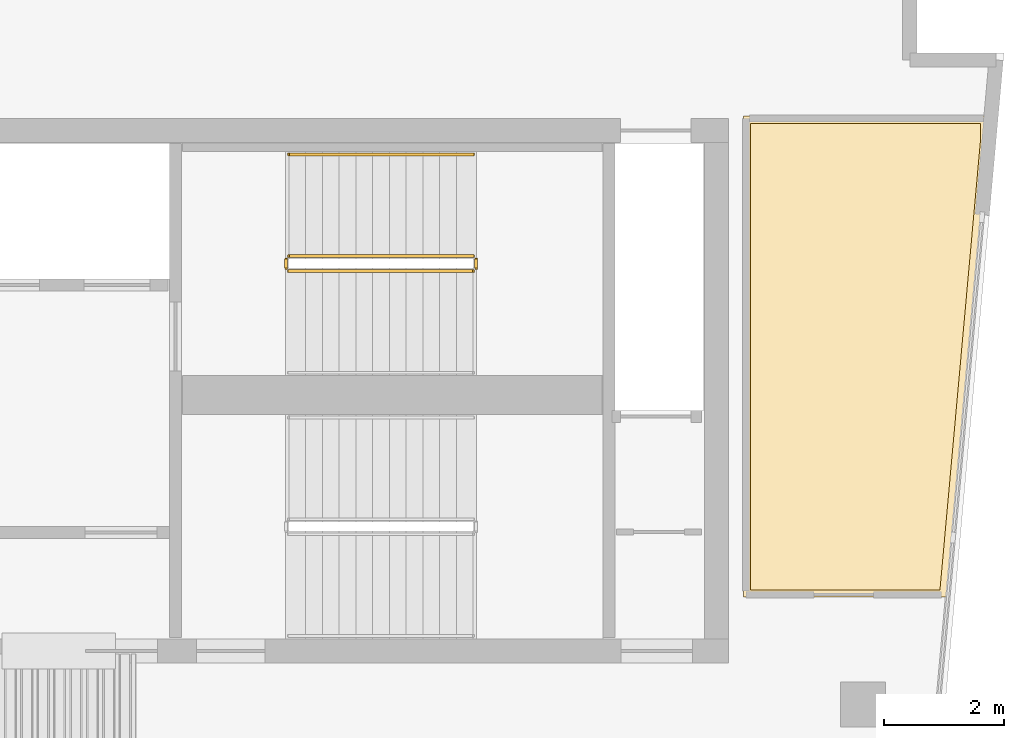
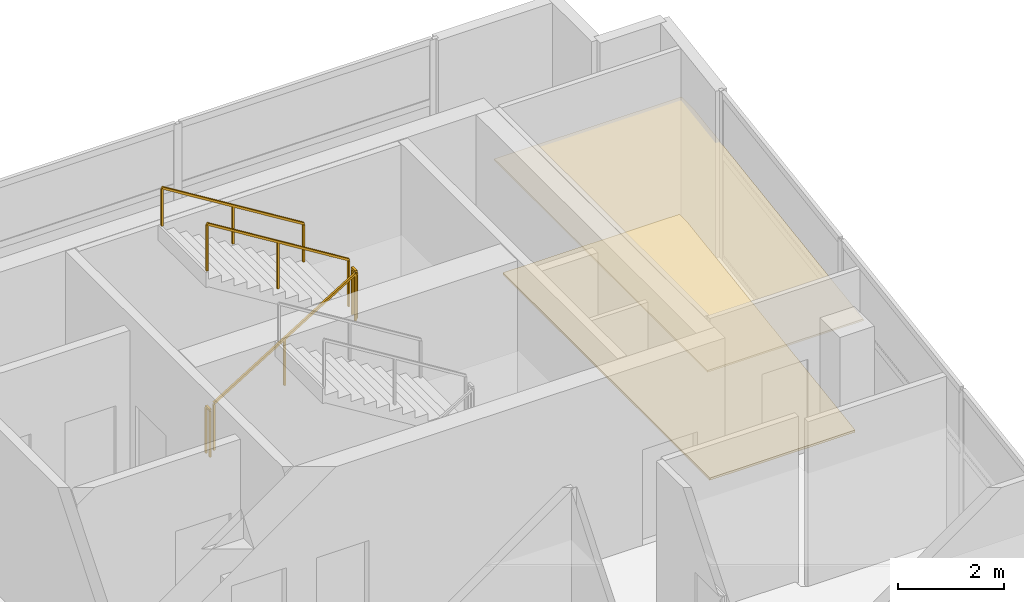
# One storey, part 7 of 7: 5 railings, 2 coverings.
"""IFC4 building model written with IfcOpenShell, lengths in metres."""

from ifc_helpers import new_model, si_unit, direction, frame, origin, origin_2d, place, context, subcontext, project, spatial, polyline, rectangle, outline, extrude, material, layer, layer_set, type_object, element, save


model = new_model("IFC4")

# Units and contexts
model_context = context("Model", 3, precision=1e-05, world=origin(), true_north=direction((0.0, 1.0)))
body_context = subcontext(model_context, "Body", "Model", "MODEL_VIEW")
ifc_project = project(units=[si_unit("LENGTHUNIT", "METRE"), si_unit("AREAUNIT", "SQUARE_METRE"), si_unit("VOLUMEUNIT", "CUBIC_METRE"), si_unit("PLANEANGLEUNIT", "RADIAN"), si_unit("MASSUNIT", "GRAM", prefix="KILO")], contexts=[model_context])

# Site, building, storey
site_placement = place(None, origin())
site = spatial("IfcSite", under=ifc_project, at=site_placement, CompositionType="ELEMENT")
building_placement = place(site_placement, origin())
building = spatial("IfcBuilding", under=site, at=building_placement, Name="Caeloran Harvest Quay", CompositionType="ELEMENT")
storey_placement = place(building_placement, frame((0.0, 0.0, 319.89990234375)))
storey = spatial("IfcBuildingStorey", under=building, at=storey_placement, Name="L77", CompositionType="ELEMENT", Elevation=319.89990234375)

# Coverings
ifc_material_1 = material(Name="Perforated Mineral-Fibre Acoustic Ceiling Tile", Category="ceiling")
ifc_layer_1 = layer(ifc_material_1, 0.0400390625, Name="Perforated Mineral-Fibre Acoustic Ceiling Tile")
ifc_layer_set_1 = layer_set([ifc_layer_1], Name="Perforated Mineral-Fibre Acoustic Ceiling Tile")
covering_type_1 = type_object("IfcCoveringType", Name="COV-CEILING-ACOUSTIC", PredefinedType="CEILING", material=ifc_layer_set_1)
covering_1_placement = place(storey_placement, frame((0.0, 0.0, 2.60009765625)))
element("IfcCovering", 1, at=covering_1_placement, inside=storey, type_object=covering_type_1, Name="L77 Bioinformatics and Crop Phenotyping Laboratory Acoustic Ceiling", PredefinedType="CEILING", context=body_context, shape_type="SweptSolid", body=[
    extrude(outline(polyline([(27.57861328125, 40.3876953125), (26.89453125, 32.800048828125), (23.5, 32.800048828125), (23.5, 40.840087890625), (27.57861328125, 40.840087890625), (27.57861328125, 40.3876953125)])), origin(), (0.0, 0.0, 1.0), 0.0400390625),
])
ifc_material_2 = material(Name="Calcium-Sulphate Raised Access Floor and Terrazzo Finish", Category="flooring")
ifc_layer_2 = layer(ifc_material_2, 0.050048828125, Name="Calcium-Sulphate Raised Access Floor and Terrazzo Finish")
ifc_layer_set_2 = layer_set([ifc_layer_2], Name="Calcium-Sulphate Raised Access Floor and Terrazzo Finish")
covering_type_2 = type_object("IfcCoveringType", Name="COV-FLOOR-RAISED", PredefinedType="FLOORING", material=ifc_layer_set_2)
covering_2_placement = place(storey_placement, origin())
element("IfcCovering", 2, at=covering_2_placement, inside=storey, type_object=covering_type_2, Name="L77 Bioinformatics and Crop Phenotyping Laboratory Raised Finish Flooring", PredefinedType="FLOORING", context=body_context, shape_type="SweptSolid", body=[
    extrude(outline(polyline([(27.458740234375, 40.39306640625), (26.784912109375, 32.919921875), (23.6201171875, 32.919921875), (23.6201171875, 40.719970703125), (27.458740234375, 40.719970703125), (27.458740234375, 40.39306640625)])), origin(), (0.0, 0.0, 1.0), 0.050048828125),
])

# Railings
ifc_material_3 = material(Name="Painted Steel Baluster and Top-Rail Stair Guard", Category="steel")
ifc_layer_3 = layer(ifc_material_3, 0.050048828125, Name="Painted Steel Baluster and Top-Rail Stair Guard")
ifc_layer_set_3 = layer_set([ifc_layer_3], Name="Painted Steel Baluster and Top-Rail Stair Guard")
railing_type_1 = type_object("IfcRailingType", Name="STAIR-GUARD-1100", PredefinedType="GUARDRAIL", material=ifc_layer_set_3)
railing_1_placement = place(storey_placement, frame((15.89990234375, 38.25, 0.173095703125)))
element("IfcRailing", 3, at=railing_1_placement, inside=storey, type_object=railing_type_1, Name="L77 ST-C1 stair guard 1", PredefinedType="GUARDRAIL", context=body_context, shape_type="SweptSolid", body=[
    extrude(rectangle(XDim=0.048095703125, YDim=0.048095703125, at=origin_2d()), frame((0.0, 0.0, 1.076171875), z_axis=(0.850835241893, 0.0, 0.525432575268), x_axis=(0.0, 1.0, 0.0)), (0.0, 0.0, 1.0), 3.6201171875),
    extrude(rectangle(XDim=0.0419921875, YDim=0.0419921875, at=origin_2d()), origin(), (0.0, 0.0, 1.0), 1.052001953125),
    extrude(rectangle(XDim=0.0419921875, YDim=0.0419921875, at=origin_2d()), frame((1.5400390625, 0.0, 0.951171875)), (0.0, 0.0, 1.0), 1.052001953125),
    extrude(rectangle(XDim=0.0419921875, YDim=0.0419921875, at=origin_2d()), frame((3.080078125, 0.0, 1.902099609375)), (0.0, 0.0, 1.0), 1.052001953125),
])
railing_2_placement = place(storey_placement, frame((19.030029296875, 38.300048828125, 2.0751953125)))
element("IfcRailing", 4, at=railing_2_placement, inside=storey, type_object=railing_type_1, Name="L77 ST-C1 stair guard 2", PredefinedType="GUARDRAIL", context=body_context, shape_type="SweptSolid", body=[
    extrude(rectangle(XDim=0.048095703125, YDim=0.048095703125, at=origin_2d()), frame((0.0, 0.0, 1.076171875), z_axis=(0.0, 1.0, 0.0), x_axis=(-1.0, 0.0, 0.0)), (0.0, 0.0, 1.0), 0.14990234375),
    extrude(rectangle(XDim=0.0419921875, YDim=0.0419921875, at=origin_2d()), origin(), (0.0, 0.0, 1.0), 1.052001953125),
    extrude(rectangle(XDim=0.0419921875, YDim=0.0419921875, at=origin_2d()), frame((0.0, 0.14990234375, 0.0)), (0.0, 0.0, 1.0), 1.052001953125),
])
railing_3_placement = place(storey_placement, frame((18.97998046875, 38.5, 2.248046875)))
element("IfcRailing", 5, at=railing_3_placement, inside=storey, type_object=railing_type_1, Name="L77 ST-C1 stair guard 3", PredefinedType="GUARDRAIL", context=body_context, shape_type="SweptSolid", body=[
    extrude(rectangle(XDim=0.048095703125, YDim=0.048095703125, at=origin_2d()), frame((0.0, 0.0, 1.076171875), z_axis=(-0.850835241893, 0.0, 0.525432575268), x_axis=(0.0, -1.0, 0.0)), (0.0, 0.0, 1.0), 3.6201171875),
    extrude(rectangle(XDim=0.0419921875, YDim=0.0419921875, at=origin_2d()), origin(), (0.0, 0.0, 1.0), 1.052001953125),
    extrude(rectangle(XDim=0.0419921875, YDim=0.0419921875, at=origin_2d()), frame((-1.5400390625, 0.0, 0.951171875)), (0.0, 0.0, 1.0), 1.052001953125),
    extrude(rectangle(XDim=0.0419921875, YDim=0.0419921875, at=origin_2d()), frame((-3.080078125, 0.0, 1.902099609375)), (0.0, 0.0, 1.0), 1.052001953125),
])
railing_4_placement = place(storey_placement, frame((15.85009765625, 38.300048828125, 0.0)))
element("IfcRailing", 6, at=railing_4_placement, inside=storey, type_object=railing_type_1, Name="L77 ST-C1 stair guard 4", PredefinedType="GUARDRAIL", context=body_context, shape_type="SweptSolid", body=[
    extrude(rectangle(XDim=0.048095703125, YDim=0.048095703125, at=origin_2d()), frame((0.0, 0.0, 1.076171875), z_axis=(0.0, 1.0, 0.0), x_axis=(-1.0, 0.0, 0.0)), (0.0, 0.0, 1.0), 0.14990234375),
    extrude(rectangle(XDim=0.0419921875, YDim=0.0419921875, at=origin_2d()), origin(), (0.0, 0.0, 1.0), 1.052001953125),
    extrude(rectangle(XDim=0.0419921875, YDim=0.0419921875, at=origin_2d()), frame((0.0, 0.14990234375, 0.0)), (0.0, 0.0, 1.0), 1.052001953125),
])
ifc_material_4 = material(Name="Brushed Stainless Steel Grade 304", Category="steel")
ifc_layer_4 = layer(ifc_material_4, 0.050048828125, Name="Brushed Stainless Steel Grade 304")
ifc_layer_set_4 = layer_set([ifc_layer_4], Name="Brushed Stainless Steel Grade 304")
railing_type_2 = type_object("IfcRailingType", Name="STAIR-HANDRAIL-900", PredefinedType="HANDRAIL", material=ifc_layer_set_4)
railing_5_placement = place(storey_placement, frame((18.97998046875, 40.199951171875, 2.248046875)))
element("IfcRailing", 7, at=railing_5_placement, inside=storey, type_object=railing_type_2, Name="L77 ST-C1 stair handrail 2", PredefinedType="HANDRAIL", context=body_context, shape_type="SweptSolid", body=[
    extrude(rectangle(XDim=0.048095703125, YDim=0.048095703125, at=origin_2d()), frame((0.0, 0.0, 0.8759765625), z_axis=(-0.850835241893, 0.0, 0.525432575268), x_axis=(0.0, -1.0, 0.0)), (0.0, 0.0, 1.0), 3.6201171875),
    extrude(rectangle(XDim=0.0419921875, YDim=0.0419921875, at=origin_2d()), origin(), (0.0, 0.0, 1.0), 0.851806640625),
    extrude(rectangle(XDim=0.0419921875, YDim=0.0419921875, at=origin_2d()), frame((-1.5400390625, 0.0, 0.951171875)), (0.0, 0.0, 1.0), 0.851806640625),
    extrude(rectangle(XDim=0.0419921875, YDim=0.0419921875, at=origin_2d()), frame((-3.080078125, 0.0, 1.902099609375)), (0.0, 0.0, 1.0), 0.851806640625),
])

save(model, "model.ifc")
